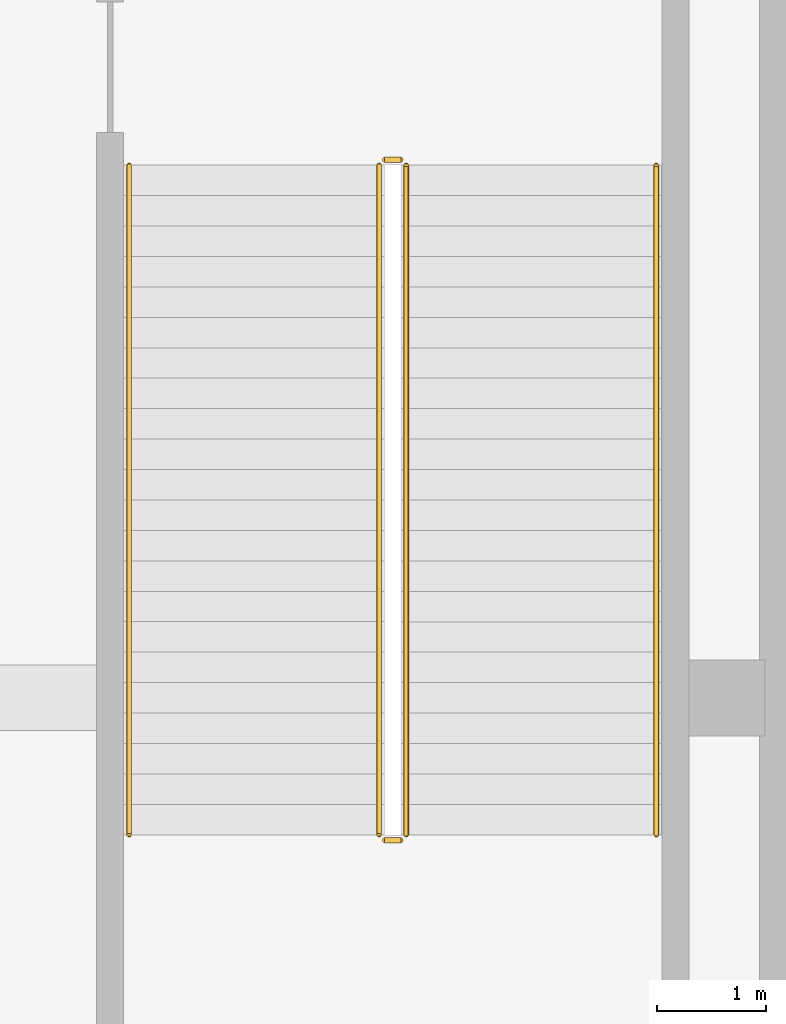
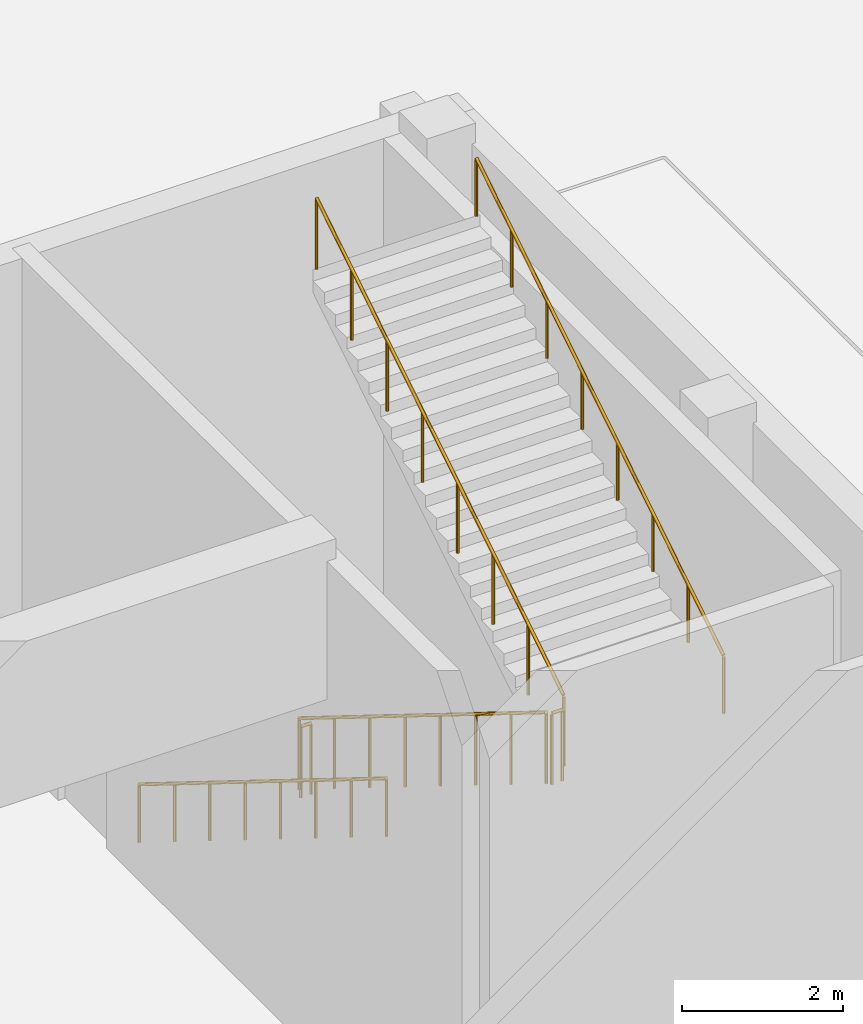
# One storey, part 56 of 57: 6 railings.
"""IFC4 building model written with IfcOpenShell, lengths in metres."""

import ifcopenshell
import ifcopenshell.guid

model = None  # the IFC model being written
_history = None  # IfcOwnerHistory: only IFC2X3 demands one
_inside = {}  # id of a spatial element -> (the spatial element, [elements in it])
_under = {}  # id of a project, library or spatial element -> (it, [spatial elements below it])
_declared = {}  # id of a project -> (the project, [libraries it declares])
_typed = {}  # id of a type object -> (the type object, [elements of that type])
_made_of = {}  # id of a material, layer set ... -> (it, [elements and type objects made of it])


def new_model(schema):
    """Start an empty IFC model of exactly this schema.

    Asked for "IFC4X3", IfcOpenShell would pick the latest addendum, in which some entities
    have other attributes; the version numbers below select the first issue.
    IFC2X3 requires an IfcOwnerHistory on every rooted entity: one is made here for all.
    """
    global model, _history
    if schema == "IFC4X3":
        model = ifcopenshell.file(schema_version=(4, 3, 0, 0))
    else:
        model = ifcopenshell.file(schema=schema)
    _inside.clear()
    _under.clear()
    _declared.clear()
    _typed.clear()
    _made_of.clear()
    _history = None
    if model.schema == "IFC2X3":
        org = make("IfcOrganization", Name="unknown")
        user = make(
            "IfcPersonAndOrganization",
            ThePerson=make("IfcPerson", FamilyName="unknown"),
            TheOrganization=org,
        )
        app = make(
            "IfcApplication",
            ApplicationDeveloper=org,
            Version="unknown",
            ApplicationFullName="unknown",
            ApplicationIdentifier="unknown",
        )
        _history = make(
            "IfcOwnerHistory",
            OwningUser=user,
            OwningApplication=app,
            ChangeAction="ADDED",
            CreationDate=0,
        )
    return model


def make(cls, **values):
    """One entity of the class cls with the attributes given. An attribute that is None is left unset."""
    return model.create_entity(
        cls, **{name: value for name, value in values.items() if value is not None}
    )


def rooted(cls, **values):
    """An entity with a GlobalId (a new one), such as an element, a storey or a relation."""
    return make(cls, GlobalId=ifcopenshell.guid.new(), OwnerHistory=_history, **values)


def si_unit(unit_type, name, prefix=None):
    """IfcSIUnit, for example si_unit("LENGTHUNIT", "METRE", prefix="MILLI")."""
    return make("IfcSIUnit", UnitType=unit_type, Prefix=prefix, Name=name)


def assignment(units):
    """IfcUnitAssignment: the units of a project."""
    return None if units is None else make("IfcUnitAssignment", Units=units)


def point(xyz):
    """IfcCartesianPoint."""
    return None if xyz is None else make("IfcCartesianPoint", Coordinates=xyz)


def direction(xyz):
    """IfcDirection."""
    return None if xyz is None else make("IfcDirection", DirectionRatios=xyz)


def frame(location, z_axis=None, x_axis=None):
    """IfcAxis2Placement3D, a coordinate frame: its origin and axes. An axis left out is left unset."""
    return make(
        "IfcAxis2Placement3D",
        Location=point(location),
        Axis=direction(z_axis),
        RefDirection=direction(x_axis),
    )


def frame_2d(location, x_axis=None):
    """IfcAxis2Placement2D, a coordinate frame in the plane: its origin and x axis."""
    return make(
        "IfcAxis2Placement2D", Location=point(location), RefDirection=direction(x_axis)
    )


def origin():
    """The frame at (0, 0, 0) with its axes left unset."""
    return frame((0.0, 0.0, 0.0))


def origin_2d():
    """The frame at (0, 0) in the plane with its x axis left unset."""
    return frame_2d((0.0, 0.0))


def place(relative_to, where):
    """IfcLocalPlacement: puts the frame where relative to a parent placement (None: the world)."""
    return make(
        "IfcLocalPlacement", PlacementRelTo=relative_to, RelativePlacement=where
    )


def context(
    kind, dimensions, precision=None, world=None, true_north=None, identifier=None
):
    """IfcGeometricRepresentationContext, for example the 3D "Model" context."""
    return make(
        "IfcGeometricRepresentationContext",
        ContextIdentifier=identifier,
        ContextType=kind,
        CoordinateSpaceDimension=dimensions,
        Precision=precision,
        WorldCoordinateSystem=world,
        TrueNorth=true_north,
    )


def subcontext(parent, identifier, kind, view, scale=None):
    """IfcGeometricRepresentationSubContext, for example "Body" below "Model"."""
    return make(
        "IfcGeometricRepresentationSubContext",
        ContextIdentifier=identifier,
        ContextType=kind,
        ParentContext=parent,
        TargetScale=scale,
        TargetView=view,
    )


def project(units=None, contexts=None):
    """IfcProject with its units and contexts."""
    return rooted(
        "IfcProject",
        Name="project",
        RepresentationContexts=contexts,
        UnitsInContext=assignment(units),
    )


def spatial(cls, under=None, at=None, **own):
    """A site, building, storey or space (cls), placed at a placement, below another one or the project."""
    s = rooted(cls, ObjectPlacement=at, **own)
    if under is not None:
        _under.setdefault(under.id(), (under, []))[1].append(s)
    return s


def profile(cls, at=None, kind="AREA", **sizes):
    """A parametric profile (cls). Its sizes go by their IFC names, for example OverallWidth=200.0."""
    return make(cls, ProfileType=kind, Position=at, **sizes)


def circle(**sizes):
    """IfcCircleProfileDef."""
    return profile("IfcCircleProfileDef", **sizes)


def extrude(swept, where, along, depth):
    """IfcExtrudedAreaSolid: the profile swept, set in the frame where, extruded along a direction by depth."""
    return make(
        "IfcExtrudedAreaSolid",
        SweptArea=swept,
        Position=where,
        ExtrudedDirection=direction(along),
        Depth=depth,
    )


def shape(context_of_items, identifier, shape_type, items):
    """IfcShapeRepresentation: the items that make up one representation, for example the "Body"."""
    return make(
        "IfcShapeRepresentation",
        ContextOfItems=context_of_items,
        RepresentationIdentifier=identifier,
        RepresentationType=shape_type,
        Items=items,
    )


def material(Name=None, Category=None):
    """IfcMaterial."""
    return make("IfcMaterial", Name=Name, Category=Category)


def made_of(thing, what):
    """Note that an element or type object is made of a material, layer set ...; save() writes the relation."""
    if what is not None:
        _made_of.setdefault(what.id(), (what, []))[1].append(thing)
    return thing


def type_object(cls, material=None, **own):
    """A type object (cls), such as IfcWallType, which elements share."""
    return made_of(rooted(cls, **own), material)


def element(
    cls,
    number,
    at=None,
    inside=None,
    cuts=None,
    type_object=None,
    material=None,
    context=None,
    identifier="Body",
    shape_type=None,
    held_by="IfcProductDefinitionShape",
    body=None,
    shapes=None,
    **own,
):
    """One element of the class cls, such as IfcWall. Its Tag is "e" and its number.

    at: its placement. inside: the storey or other place that contains it. cuts: it is an
    opening in that element (IfcRelVoidsElement). A single representation is given by context,
    identifier, shape_type and body (its items); several are given by shapes. held_by: the class
    of the entity that holds the representations. save() writes the other relations.
    """
    e = rooted(cls, Tag="e%d" % number, ObjectPlacement=at, **own)
    if body is not None:
        shapes = [shape(context, identifier, shape_type, body)]
    if shapes is not None:
        e.Representation = make(held_by, Representations=shapes)
    if inside is not None:
        _inside.setdefault(inside.id(), (inside, []))[1].append(e)
    if cuts is not None:
        rooted(
            "IfcRelVoidsElement", RelatingBuildingElement=cuts, RelatedOpeningElement=e
        )
    if type_object is not None:
        _typed.setdefault(type_object.id(), (type_object, []))[1].append(e)
    return made_of(e, material)


def aggregate(whole, parts):
    """IfcRelAggregates: a whole, such as a stair, and the parts it consists of."""
    return rooted("IfcRelAggregates", RelatingObject=whole, RelatedObjects=parts)


def save(model, path):
    """Write the relations noted so far, then the file.

    IfcRelAggregates (storeys below a building ...), IfcRelContainedInSpatialStructure (elements
    in a storey), IfcRelDefinesByType, IfcRelAssociatesMaterial and IfcRelDeclares: one each for
    every whole, place, type object, material and project.
    """
    for whole, parts in _under.values():
        aggregate(whole, parts)
    for where, things in _inside.values():
        rooted(
            "IfcRelContainedInSpatialStructure",
            RelatedElements=things,
            RelatingStructure=where,
        )
    for kind, things in _typed.values():
        rooted("IfcRelDefinesByType", RelatedObjects=things, RelatingType=kind)
    for what, things in _made_of.values():
        rooted("IfcRelAssociatesMaterial", RelatedObjects=things, RelatingMaterial=what)
    for by, libraries in _declared.values():
        rooted("IfcRelDeclares", RelatingContext=by, RelatedDefinitions=libraries)
    model.write(path)


model = new_model("IFC4")

# Units and contexts
model_context = context("Model", 3, precision=1e-05, world=origin(), true_north=direction((0.0, 1.0)))
body_context = subcontext(model_context, "Body", "Model", "MODEL_VIEW")
ifc_project = project(units=[si_unit("LENGTHUNIT", "METRE"), si_unit("AREAUNIT", "SQUARE_METRE"), si_unit("VOLUMEUNIT", "CUBIC_METRE"), si_unit("PLANEANGLEUNIT", "RADIAN"), si_unit("MASSUNIT", "GRAM", prefix="KILO")], contexts=[model_context])

# Site, building, storey
site_placement = place(None, origin())
site = spatial("IfcSite", under=ifc_project, at=site_placement, CompositionType="ELEMENT")
building_placement = place(site_placement, origin())
building = spatial("IfcBuilding", under=site, at=building_placement, Name="Tamorin Gate", CompositionType="ELEMENT")
storey_placement = place(building_placement, origin())
storey = spatial("IfcBuildingStorey", under=building, at=storey_placement, Name="L00", CompositionType="ELEMENT", Elevation=0.0)

# Railings
ifc_material = material(Name="Steel, galvanised", Category="steel")
railing_type_1 = type_object("IfcRailingType", Name="Steel guard 1100 museum", PredefinedType="GUARDRAIL", material=ifc_material)
railing_1_placement = place(storey_placement, frame((206.5, 95.60009765625, 0.173828125)))
element("IfcRailing", 1, at=railing_1_placement, inside=storey, type_object=railing_type_1, Name="L00 PS9 stair guard 1", PredefinedType="GUARDRAIL", context=body_context, shape_type="SweptSolid", body=[
    extrude(circle(Radius=0.02392578125, at=origin_2d()), frame((0.0, 0.0, 1.076171875), z_axis=(0.0, -0.849477832307, 0.527624309921), x_axis=(1.0, 0.0, 0.0)), (0.0, 0.0, 1.0), 7.251708984375),
    extrude(circle(Radius=0.02099609375, at=origin_2d()), origin(), (0.0, 0.0, 1.0), 1.052001953125),
    extrude(circle(Radius=0.02099609375, at=origin_2d()), frame((0.0, -0.880126953125, 0.546630859375)), (0.0, 0.0, 1.0), 1.052001953125),
    extrude(circle(Radius=0.02099609375, at=origin_2d()), frame((0.0, -1.760009765625, 1.09326171875)), (0.0, 0.0, 1.0), 1.052001953125),
    extrude(circle(Radius=0.02099609375, at=origin_2d()), frame((0.0, -2.64013671875, 1.639892578125)), (0.0, 0.0, 1.0), 1.052001953125),
    extrude(circle(Radius=0.02099609375, at=origin_2d()), frame((0.0, -3.52001953125, 2.186279296875)), (0.0, 0.0, 1.0), 1.052001953125),
    extrude(circle(Radius=0.02099609375, at=origin_2d()), frame((0.0, -4.400146484375, 2.73291015625)), (0.0, 0.0, 1.0), 1.052001953125),
    extrude(circle(Radius=0.02099609375, at=origin_2d()), frame((0.0, -5.280029296875, 3.279541015625)), (0.0, 0.0, 1.0), 1.052001953125),
    extrude(circle(Radius=0.02099609375, at=origin_2d()), frame((0.0, -6.16015625, 3.826171875)), (0.0, 0.0, 1.0), 1.052001953125),
])
railing_2_placement = place(storey_placement, frame((206.550048828125, 89.389892578125, 4.0)))
element("IfcRailing", 2, at=railing_2_placement, inside=storey, type_object=railing_type_1, Name="L00 PS9 stair guard 2", PredefinedType="GUARDRAIL", context=body_context, shape_type="SweptSolid", body=[
    extrude(circle(Radius=0.02392578125, at=origin_2d()), frame((0.0, 0.0, 1.076171875), z_axis=(1.0, 0.0, 0.0), x_axis=(0.0, 1.0, 0.0)), (0.0, 0.0, 1.0), 0.14990234375),
    extrude(circle(Radius=0.02099609375, at=origin_2d()), origin(), (0.0, 0.0, 1.0), 1.052001953125),
    extrude(circle(Radius=0.02099609375, at=origin_2d()), frame((0.14990234375, 0.0, 0.0)), (0.0, 0.0, 1.0), 1.052001953125),
])
railing_3_placement = place(storey_placement, frame((206.75, 89.43994140625, 4.173828125)))
element("IfcRailing", 3, at=railing_3_placement, inside=storey, type_object=railing_type_1, Name="L00 PS9 stair guard 3", PredefinedType="GUARDRAIL", context=body_context, shape_type="SweptSolid", body=[
    extrude(circle(Radius=0.02392578125, at=origin_2d()), frame((0.0, 0.0, 1.076171875), z_axis=(0.0, 0.849477832307, 0.527624309921), x_axis=(-1.0, 0.0, 0.0)), (0.0, 0.0, 1.0), 7.251708984375),
    extrude(circle(Radius=0.02099609375, at=origin_2d()), origin(), (0.0, 0.0, 1.0), 1.052001953125),
    extrude(circle(Radius=0.02099609375, at=origin_2d()), frame((0.0, 0.880126953125, 0.546630859375)), (0.0, 0.0, 1.0), 1.052001953125),
    extrude(circle(Radius=0.02099609375, at=origin_2d()), frame((0.0, 1.760009765625, 1.09326171875)), (0.0, 0.0, 1.0), 1.052001953125),
    extrude(circle(Radius=0.02099609375, at=origin_2d()), frame((0.0, 2.64013671875, 1.639892578125)), (0.0, 0.0, 1.0), 1.052001953125),
    extrude(circle(Radius=0.02099609375, at=origin_2d()), frame((0.0, 3.52001953125, 2.186279296875)), (0.0, 0.0, 1.0), 1.052001953125),
    extrude(circle(Radius=0.02099609375, at=origin_2d()), frame((0.0, 4.400146484375, 2.73291015625)), (0.0, 0.0, 1.0), 1.052001953125),
    extrude(circle(Radius=0.02099609375, at=origin_2d()), frame((0.0, 5.280029296875, 3.279541015625)), (0.0, 0.0, 1.0), 1.052001953125),
    extrude(circle(Radius=0.02099609375, at=origin_2d()), frame((0.0, 6.16015625, 3.826171875)), (0.0, 0.0, 1.0), 1.052001953125),
])
railing_4_placement = place(storey_placement, frame((206.550048828125, 95.64990234375, 0.0)))
element("IfcRailing", 4, at=railing_4_placement, inside=storey, type_object=railing_type_1, Name="L00 PS9 stair guard 4", PredefinedType="GUARDRAIL", context=body_context, shape_type="SweptSolid", body=[
    extrude(circle(Radius=0.02392578125, at=origin_2d()), frame((0.0, 0.0, 1.076171875), z_axis=(1.0, 0.0, 0.0), x_axis=(0.0, 1.0, 0.0)), (0.0, 0.0, 1.0), 0.14990234375),
    extrude(circle(Radius=0.02099609375, at=origin_2d()), origin(), (0.0, 0.0, 1.0), 1.052001953125),
    extrude(circle(Radius=0.02099609375, at=origin_2d()), frame((0.14990234375, 0.0, 0.0)), (0.0, 0.0, 1.0), 1.052001953125),
])
railing_type_2 = type_object("IfcRailingType", Name="Steel handrail 900 museum", PredefinedType="HANDRAIL", material=ifc_material)
railing_5_placement = place(storey_placement, frame((204.199951171875, 95.60009765625, 0.173828125)))
element("IfcRailing", 5, at=railing_5_placement, inside=storey, type_object=railing_type_2, Name="L00 PS9 stair handrail 1", PredefinedType="HANDRAIL", context=body_context, shape_type="SweptSolid", body=[
    extrude(circle(Radius=0.02392578125, at=origin_2d()), frame((0.0, 0.0, 0.8759765625), z_axis=(0.0, -0.849477832307, 0.527624309921), x_axis=(1.0, 0.0, 0.0)), (0.0, 0.0, 1.0), 7.251708984375),
    extrude(circle(Radius=0.02099609375, at=origin_2d()), origin(), (0.0, 0.0, 1.0), 0.851806640625),
    extrude(circle(Radius=0.02099609375, at=origin_2d()), frame((0.0, -0.880126953125, 0.546630859375)), (0.0, 0.0, 1.0), 0.851806640625),
    extrude(circle(Radius=0.02099609375, at=origin_2d()), frame((0.0, -1.760009765625, 1.09326171875)), (0.0, 0.0, 1.0), 0.851806640625),
    extrude(circle(Radius=0.02099609375, at=origin_2d()), frame((0.0, -2.64013671875, 1.639892578125)), (0.0, 0.0, 1.0), 0.851806640625),
    extrude(circle(Radius=0.02099609375, at=origin_2d()), frame((0.0, -3.52001953125, 2.186279296875)), (0.0, 0.0, 1.0), 0.851806640625),
    extrude(circle(Radius=0.02099609375, at=origin_2d()), frame((0.0, -4.400146484375, 2.73291015625)), (0.0, 0.0, 1.0), 0.851806640625),
    extrude(circle(Radius=0.02099609375, at=origin_2d()), frame((0.0, -5.280029296875, 3.279541015625)), (0.0, 0.0, 1.0), 0.851806640625),
    extrude(circle(Radius=0.02099609375, at=origin_2d()), frame((0.0, -6.16015625, 3.826171875)), (0.0, 0.0, 1.0), 0.851806640625),
])
railing_6_placement = place(storey_placement, frame((209.050048828125, 89.43994140625, 4.173828125)))
element("IfcRailing", 6, at=railing_6_placement, inside=storey, type_object=railing_type_2, Name="L00 PS9 stair handrail 2", PredefinedType="HANDRAIL", context=body_context, shape_type="SweptSolid", body=[
    extrude(circle(Radius=0.02392578125, at=origin_2d()), frame((0.0, 0.0, 0.8759765625), z_axis=(0.0, 0.849477832307, 0.527624309921), x_axis=(-1.0, 0.0, 0.0)), (0.0, 0.0, 1.0), 7.251708984375),
    extrude(circle(Radius=0.02099609375, at=origin_2d()), origin(), (0.0, 0.0, 1.0), 0.851806640625),
    extrude(circle(Radius=0.02099609375, at=origin_2d()), frame((0.0, 0.880126953125, 0.546630859375)), (0.0, 0.0, 1.0), 0.851806640625),
    extrude(circle(Radius=0.02099609375, at=origin_2d()), frame((0.0, 1.760009765625, 1.09326171875)), (0.0, 0.0, 1.0), 0.851806640625),
    extrude(circle(Radius=0.02099609375, at=origin_2d()), frame((0.0, 2.64013671875, 1.639892578125)), (0.0, 0.0, 1.0), 0.851806640625),
    extrude(circle(Radius=0.02099609375, at=origin_2d()), frame((0.0, 3.52001953125, 2.186279296875)), (0.0, 0.0, 1.0), 0.851806640625),
    extrude(circle(Radius=0.02099609375, at=origin_2d()), frame((0.0, 4.400146484375, 2.73291015625)), (0.0, 0.0, 1.0), 0.851806640625),
    extrude(circle(Radius=0.02099609375, at=origin_2d()), frame((0.0, 5.280029296875, 3.279541015625)), (0.0, 0.0, 1.0), 0.851806640625),
    extrude(circle(Radius=0.02099609375, at=origin_2d()), frame((0.0, 6.16015625, 3.826171875)), (0.0, 0.0, 1.0), 0.851806640625),
])

save(model, "model.ifc")
